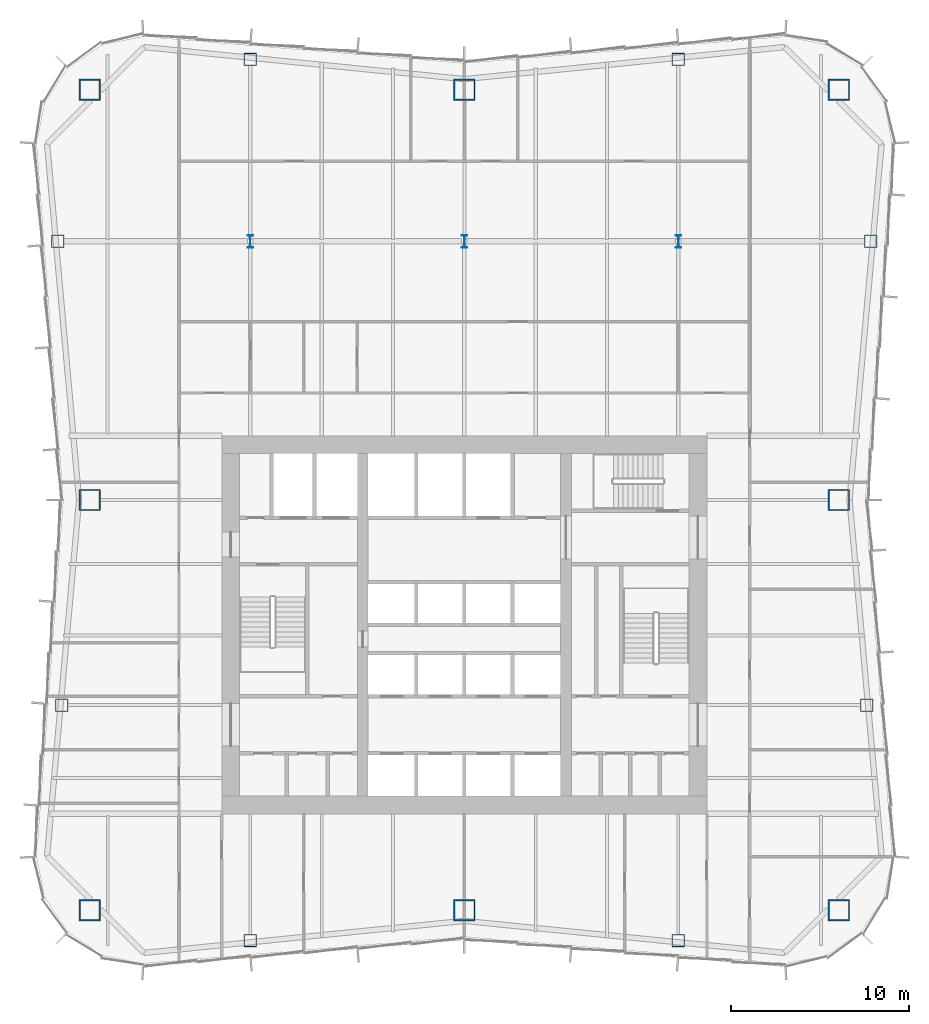
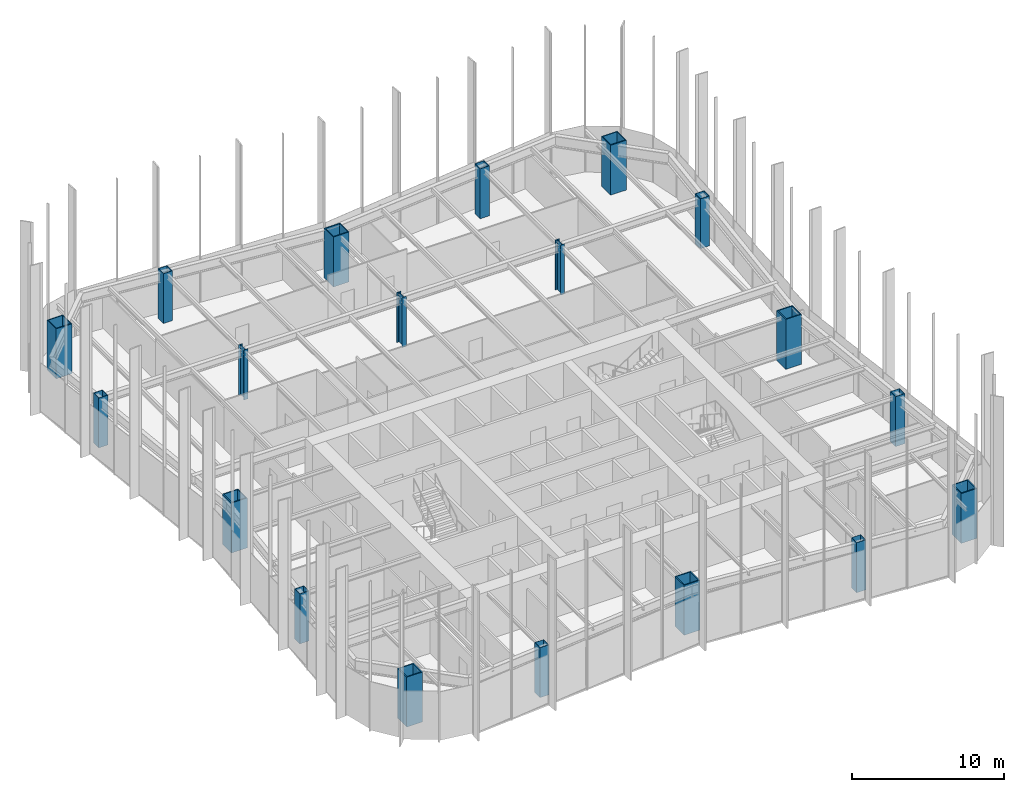
# One storey, part 1 of 13: 19 columns.
"""IFC4 building model written with IfcOpenShell, lengths in metres."""

from ifc_helpers import new_model, si_unit, direction, frame, origin, origin_2d, place, context, subcontext, project, spatial, hollow_rectangle, i_section, extrude, material, material_profile, profile_set, type_object, element, save


model = new_model("IFC4")

# Units and contexts
model_context = context("Model", 3, precision=1e-05, world=origin(), true_north=direction((0.0, 1.0)))
body_context = subcontext(model_context, "Body", "Model", "MODEL_VIEW")
ifc_project = project(units=[si_unit("LENGTHUNIT", "METRE"), si_unit("AREAUNIT", "SQUARE_METRE"), si_unit("VOLUMEUNIT", "CUBIC_METRE"), si_unit("PLANEANGLEUNIT", "RADIAN"), si_unit("MASSUNIT", "GRAM", prefix="KILO")], contexts=[model_context])

# Site, building, storey
site_placement = place(None, origin())
site = spatial("IfcSite", under=ifc_project, at=site_placement, CompositionType="ELEMENT")
building_placement = place(site_placement, origin())
building = spatial("IfcBuilding", under=site, at=building_placement, Name="Verdant Reach Tower", CompositionType="ELEMENT")
storey_placement = place(building_placement, frame((0.0, 0.0, 126.0)))
storey = spatial("IfcBuildingStorey", under=building, at=storey_placement, Name="L28", CompositionType="ELEMENT", Elevation=126.0)

# Columns
ifc_material = material(Name="Steel S460", Category="steel")
ifc_material_profile_1 = material_profile(ifc_material, i_section(OverallWidth=0.30810546875, OverallDepth=0.716064453125, WebThickness=0.02099609375, FlangeThickness=0.0400390625, FilletRadius=0.027099609375, at=origin_2d()), Name="HEM 700")
ifc_profile_set_1 = profile_set([ifc_material_profile_1], Name="Steel S460")
column_type_1 = type_object("IfcColumnType", Name="ST-COL-HEM700", PredefinedType="COLUMN", material=ifc_profile_set_1)
for number, where, z_axis, x_axis, name in (
    (1, (-12.0, 49.5, 0.0), (0.0, 0.0, 1.0), (1.0, 0.0, 0.0), "Interior column 1, L28"),
    (2, (0.0, 49.5, 0.0), (0.0, 0.0, 1.0), (1.0, 0.0, 0.0), "Interior column 2, L28"),
    (3, (12.0, 49.5, 0.0), (0.0, 0.0, 1.0), (1.0, 0.0, 0.0), "Interior column 3, L28"),
):
    element("IfcColumn", number, at=place(storey_placement, frame(where, z_axis=z_axis, x_axis=x_axis)), inside=storey, type_object=column_type_1, Name=name, PredefinedType="COLUMN", context=body_context, shape_type="SweptSolid", body=[
        extrude(i_section(OverallWidth=0.30810546875, OverallDepth=0.716064453125, WebThickness=0.02099609375, FlangeThickness=0.0400390625, FilletRadius=0.027099609375, at=origin_2d()), origin(), (0.0, 0.0, 1.0), 4.0),
    ])
ifc_material_profile_2 = material_profile(ifc_material, hollow_rectangle(XDim=1.199951171875, YDim=1.199951171875, WallThickness=0.070068359375, at=origin_2d()), Name="WB 1200x1200x70")
ifc_profile_set_2 = profile_set([ifc_material_profile_2], Name="Steel S460")
column_type_2 = type_object("IfcColumnType", Name="ST-COL-WB1200x1200x70", PredefinedType="COLUMN", material=ifc_profile_set_2)
for number, where, z_axis, x_axis, name in (
    (4, (-21.0, 58.0, 0.0), (0.0, 0.0, 1.0), (1.0, 0.0, 0.0), "Mega column north-west, L28"),
    (5, (0.0, 58.0, 0.0), (0.0, 0.0, 1.0), (1.0, 0.0, 0.0), "Mega column north, L28"),
    (6, (21.0, 58.0, 0.0), (0.0, 0.0, 1.0), (1.0, 0.0, 0.0), "Mega column north-east, L28"),
    (7, (21.0, 35.0, 0.0), (0.0, 0.0, 1.0), (1.0, 0.0, 0.0), "Mega column east, L28"),
    (8, (21.0, 12.0, 0.0), (0.0, 0.0, 1.0), (1.0, 0.0, 0.0), "Mega column south-east, L28"),
    (9, (0.0, 12.0, 0.0), (0.0, 0.0, 1.0), (1.0, 0.0, 0.0), "Mega column south, L28"),
    (10, (-21.0, 12.0, 0.0), (0.0, 0.0, 1.0), (1.0, 0.0, 0.0), "Mega column south-west, L28"),
    (11, (-21.0, 35.0, 0.0), (0.0, 0.0, 1.0), (1.0, 0.0, 0.0), "Mega column west, L28"),
):
    element("IfcColumn", number, at=place(storey_placement, frame(where, z_axis=z_axis, x_axis=x_axis)), inside=storey, type_object=column_type_2, Name=name, PredefinedType="COLUMN", context=body_context, shape_type="SweptSolid", body=[
        extrude(hollow_rectangle(XDim=1.199951171875, YDim=1.199951171875, WallThickness=0.070068359375, at=origin_2d()), origin(), (0.0, 0.0, 1.0), 4.0),
    ])
ifc_material_profile_3 = material_profile(ifc_material, hollow_rectangle(XDim=0.699951171875, YDim=0.699951171875, WallThickness=0.030029296875, at=origin_2d()), Name="WB 700x700x30")
ifc_profile_set_3 = profile_set([ifc_material_profile_3], Name="Steel S460")
column_type_3 = type_object("IfcColumnType", Name="ST-COL-WB700x700x30", PredefinedType="COLUMN", material=ifc_profile_set_3)
for number, where, z_axis, x_axis, name in (
    (12, (-12.0, 59.699951171875, 0.0), (0.0, 0.0, 1.0), (1.0, 0.0, 0.0), "Perimeter column north 1, L28"),
    (13, (12.0, 59.699951171875, 0.0), (0.0, 0.0, 1.0), (1.0, 0.0, 0.0), "Perimeter column north 2, L28"),
    (14, (-12.0, 10.300048828125, 0.0), (0.0, 0.0, 1.0), (1.0, 0.0, 0.0), "Perimeter column south 1, L28"),
    (15, (12.0, 10.300048828125, 0.0), (0.0, 0.0, 1.0), (1.0, 0.0, 0.0), "Perimeter column south 2, L28"),
    (16, (22.5625, 23.5, 0.0), (0.0, 0.0, 1.0), (1.0, 0.0, 0.0), "Perimeter column east 1, L28"),
    (17, (22.78759765625, 49.5, 0.0), (0.0, 0.0, 1.0), (1.0, 0.0, 0.0), "Perimeter column east 2, L28"),
    (18, (-22.5625, 23.5, 0.0), (0.0, 0.0, 1.0), (1.0, 0.0, 0.0), "Perimeter column west 1, L28"),
    (19, (-22.78759765625, 49.5, 0.0), (0.0, 0.0, 1.0), (1.0, 0.0, 0.0), "Perimeter column west 2, L28"),
):
    element("IfcColumn", number, at=place(storey_placement, frame(where, z_axis=z_axis, x_axis=x_axis)), inside=storey, type_object=column_type_3, Name=name, PredefinedType="COLUMN", context=body_context, shape_type="SweptSolid", body=[
        extrude(hollow_rectangle(XDim=0.699951171875, YDim=0.699951171875, WallThickness=0.030029296875, at=origin_2d()), origin(), (0.0, 0.0, 1.0), 4.0),
    ])

save(model, "model.ifc")
